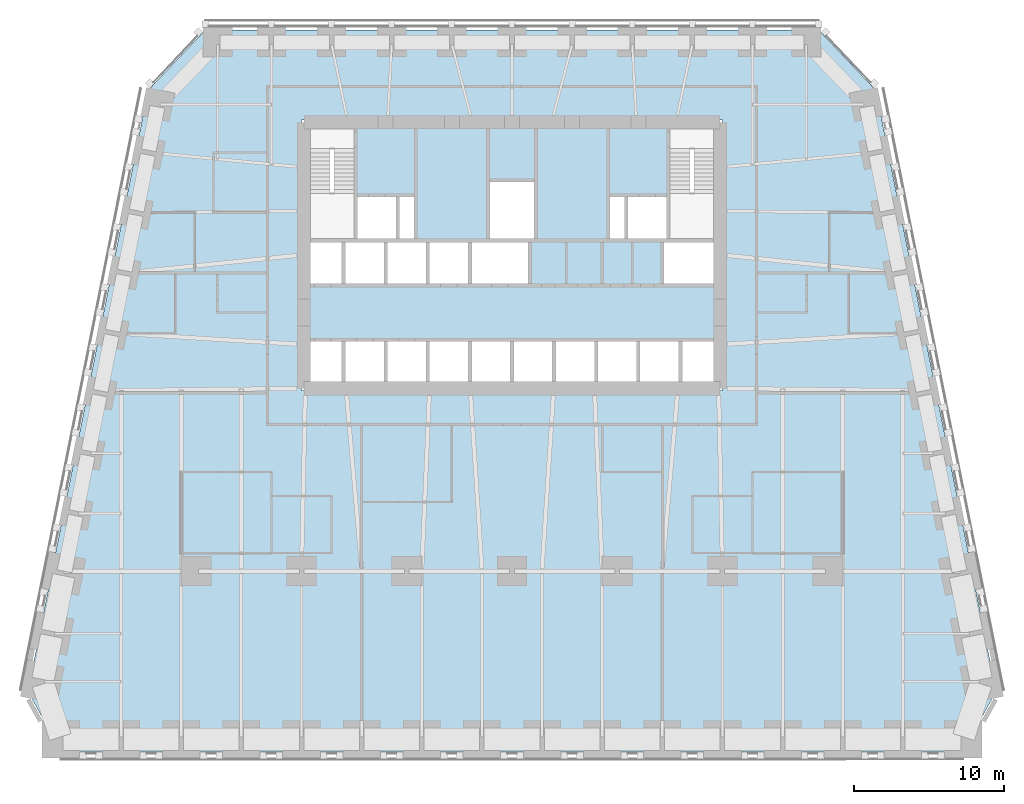
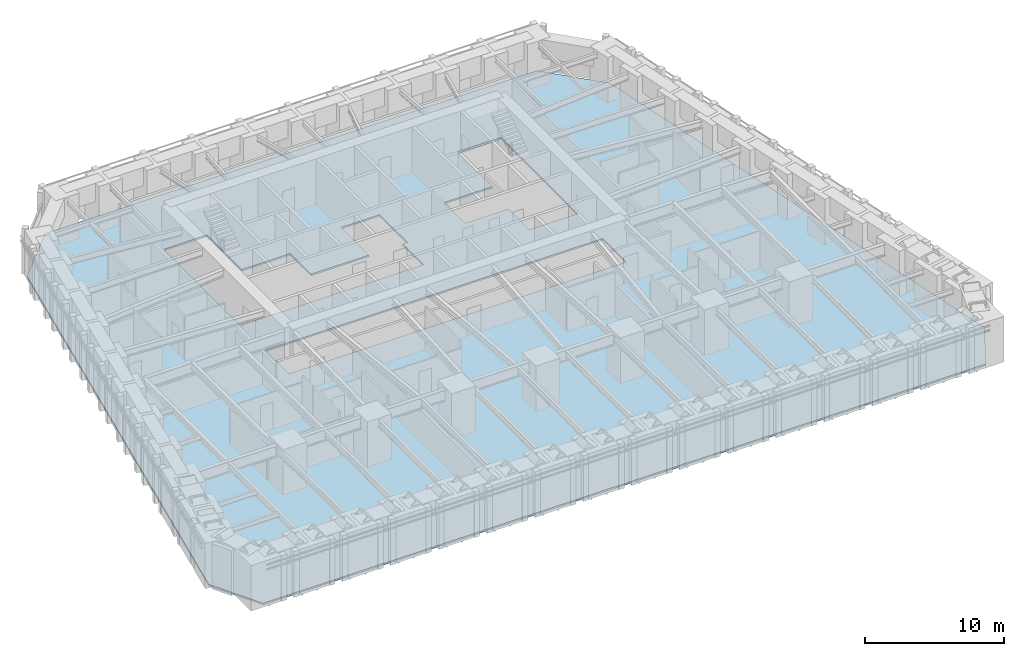
# One storey, part 8 of 16: 1 slab.
"""IFC4 building model written with IfcOpenShell, lengths in metres."""

import ifcopenshell
import ifcopenshell.guid

model = None  # the IFC model being written
_history = None  # IfcOwnerHistory: only IFC2X3 demands one
_inside = {}  # id of a spatial element -> (the spatial element, [elements in it])
_under = {}  # id of a project, library or spatial element -> (it, [spatial elements below it])
_declared = {}  # id of a project -> (the project, [libraries it declares])
_typed = {}  # id of a type object -> (the type object, [elements of that type])
_made_of = {}  # id of a material, layer set ... -> (it, [elements and type objects made of it])


def new_model(schema):
    """Start an empty IFC model of exactly this schema.

    Asked for "IFC4X3", IfcOpenShell would pick the latest addendum, in which some entities
    have other attributes; the version numbers below select the first issue.
    IFC2X3 requires an IfcOwnerHistory on every rooted entity: one is made here for all.
    """
    global model, _history
    if schema == "IFC4X3":
        model = ifcopenshell.file(schema_version=(4, 3, 0, 0))
    else:
        model = ifcopenshell.file(schema=schema)
    _inside.clear()
    _under.clear()
    _declared.clear()
    _typed.clear()
    _made_of.clear()
    _history = None
    if model.schema == "IFC2X3":
        org = make("IfcOrganization", Name="unknown")
        user = make(
            "IfcPersonAndOrganization",
            ThePerson=make("IfcPerson", FamilyName="unknown"),
            TheOrganization=org,
        )
        app = make(
            "IfcApplication",
            ApplicationDeveloper=org,
            Version="unknown",
            ApplicationFullName="unknown",
            ApplicationIdentifier="unknown",
        )
        _history = make(
            "IfcOwnerHistory",
            OwningUser=user,
            OwningApplication=app,
            ChangeAction="ADDED",
            CreationDate=0,
        )
    return model


def make(cls, **values):
    """One entity of the class cls with the attributes given. An attribute that is None is left unset."""
    return model.create_entity(
        cls, **{name: value for name, value in values.items() if value is not None}
    )


def rooted(cls, **values):
    """An entity with a GlobalId (a new one), such as an element, a storey or a relation."""
    return make(cls, GlobalId=ifcopenshell.guid.new(), OwnerHistory=_history, **values)


def si_unit(unit_type, name, prefix=None):
    """IfcSIUnit, for example si_unit("LENGTHUNIT", "METRE", prefix="MILLI")."""
    return make("IfcSIUnit", UnitType=unit_type, Prefix=prefix, Name=name)


def assignment(units):
    """IfcUnitAssignment: the units of a project."""
    return None if units is None else make("IfcUnitAssignment", Units=units)


def point(xyz):
    """IfcCartesianPoint."""
    return None if xyz is None else make("IfcCartesianPoint", Coordinates=xyz)


def direction(xyz):
    """IfcDirection."""
    return None if xyz is None else make("IfcDirection", DirectionRatios=xyz)


def frame(location, z_axis=None, x_axis=None):
    """IfcAxis2Placement3D, a coordinate frame: its origin and axes. An axis left out is left unset."""
    return make(
        "IfcAxis2Placement3D",
        Location=point(location),
        Axis=direction(z_axis),
        RefDirection=direction(x_axis),
    )


def origin():
    """The frame at (0, 0, 0) with its axes left unset."""
    return frame((0.0, 0.0, 0.0))


def place(relative_to, where):
    """IfcLocalPlacement: puts the frame where relative to a parent placement (None: the world)."""
    return make(
        "IfcLocalPlacement", PlacementRelTo=relative_to, RelativePlacement=where
    )


def context(
    kind, dimensions, precision=None, world=None, true_north=None, identifier=None
):
    """IfcGeometricRepresentationContext, for example the 3D "Model" context."""
    return make(
        "IfcGeometricRepresentationContext",
        ContextIdentifier=identifier,
        ContextType=kind,
        CoordinateSpaceDimension=dimensions,
        Precision=precision,
        WorldCoordinateSystem=world,
        TrueNorth=true_north,
    )


def subcontext(parent, identifier, kind, view, scale=None):
    """IfcGeometricRepresentationSubContext, for example "Body" below "Model"."""
    return make(
        "IfcGeometricRepresentationSubContext",
        ContextIdentifier=identifier,
        ContextType=kind,
        ParentContext=parent,
        TargetScale=scale,
        TargetView=view,
    )


def project(units=None, contexts=None):
    """IfcProject with its units and contexts."""
    return rooted(
        "IfcProject",
        Name="project",
        RepresentationContexts=contexts,
        UnitsInContext=assignment(units),
    )


def spatial(cls, under=None, at=None, **own):
    """A site, building, storey or space (cls), placed at a placement, below another one or the project."""
    s = rooted(cls, ObjectPlacement=at, **own)
    if under is not None:
        _under.setdefault(under.id(), (under, []))[1].append(s)
    return s


def polyline(points):
    """IfcPolyline through the points."""
    return make("IfcPolyline", Points=[point(p) for p in points])


def outline(outer, holes=None, kind="AREA"):
    """IfcArbitraryClosedProfileDef: a profile drawn as a closed curve; with holes, ...WithVoids."""
    if holes is None:
        return make("IfcArbitraryClosedProfileDef", ProfileType=kind, OuterCurve=outer)
    return make(
        "IfcArbitraryProfileDefWithVoids",
        ProfileType=kind,
        OuterCurve=outer,
        InnerCurves=holes,
    )


def extrude(swept, where, along, depth):
    """IfcExtrudedAreaSolid: the profile swept, set in the frame where, extruded along a direction by depth."""
    return make(
        "IfcExtrudedAreaSolid",
        SweptArea=swept,
        Position=where,
        ExtrudedDirection=direction(along),
        Depth=depth,
    )


def shape(context_of_items, identifier, shape_type, items):
    """IfcShapeRepresentation: the items that make up one representation, for example the "Body"."""
    return make(
        "IfcShapeRepresentation",
        ContextOfItems=context_of_items,
        RepresentationIdentifier=identifier,
        RepresentationType=shape_type,
        Items=items,
    )


def material(Name=None, Category=None):
    """IfcMaterial."""
    return make("IfcMaterial", Name=Name, Category=Category)


def layer(
    of_material, thickness, ventilated=None, Name=None, Category=None, Priority=None
):
    """IfcMaterialLayer: one layer of a wall or slab, of a material (None: an air gap)."""
    return make(
        "IfcMaterialLayer",
        Material=of_material,
        LayerThickness=thickness,
        IsVentilated=ventilated,
        Name=Name,
        Category=Category,
        Priority=Priority,
    )


def layer_set(layers, Name=None):
    """IfcMaterialLayerSet."""
    return make("IfcMaterialLayerSet", MaterialLayers=layers, LayerSetName=Name)


def made_of(thing, what):
    """Note that an element or type object is made of a material, layer set ...; save() writes the relation."""
    if what is not None:
        _made_of.setdefault(what.id(), (what, []))[1].append(thing)
    return thing


def type_object(cls, material=None, **own):
    """A type object (cls), such as IfcWallType, which elements share."""
    return made_of(rooted(cls, **own), material)


def element(
    cls,
    number,
    at=None,
    inside=None,
    cuts=None,
    type_object=None,
    material=None,
    context=None,
    identifier="Body",
    shape_type=None,
    held_by="IfcProductDefinitionShape",
    body=None,
    shapes=None,
    **own,
):
    """One element of the class cls, such as IfcWall. Its Tag is "e" and its number.

    at: its placement. inside: the storey or other place that contains it. cuts: it is an
    opening in that element (IfcRelVoidsElement). A single representation is given by context,
    identifier, shape_type and body (its items); several are given by shapes. held_by: the class
    of the entity that holds the representations. save() writes the other relations.
    """
    e = rooted(cls, Tag="e%d" % number, ObjectPlacement=at, **own)
    if body is not None:
        shapes = [shape(context, identifier, shape_type, body)]
    if shapes is not None:
        e.Representation = make(held_by, Representations=shapes)
    if inside is not None:
        _inside.setdefault(inside.id(), (inside, []))[1].append(e)
    if cuts is not None:
        rooted(
            "IfcRelVoidsElement", RelatingBuildingElement=cuts, RelatedOpeningElement=e
        )
    if type_object is not None:
        _typed.setdefault(type_object.id(), (type_object, []))[1].append(e)
    return made_of(e, material)


def aggregate(whole, parts):
    """IfcRelAggregates: a whole, such as a stair, and the parts it consists of."""
    return rooted("IfcRelAggregates", RelatingObject=whole, RelatedObjects=parts)


def save(model, path):
    """Write the relations noted so far, then the file.

    IfcRelAggregates (storeys below a building ...), IfcRelContainedInSpatialStructure (elements
    in a storey), IfcRelDefinesByType, IfcRelAssociatesMaterial and IfcRelDeclares: one each for
    every whole, place, type object, material and project.
    """
    for whole, parts in _under.values():
        aggregate(whole, parts)
    for where, things in _inside.values():
        rooted(
            "IfcRelContainedInSpatialStructure",
            RelatedElements=things,
            RelatingStructure=where,
        )
    for kind, things in _typed.values():
        rooted("IfcRelDefinesByType", RelatedObjects=things, RelatingType=kind)
    for what, things in _made_of.values():
        rooted("IfcRelAssociatesMaterial", RelatedObjects=things, RelatingMaterial=what)
    for by, libraries in _declared.values():
        rooted("IfcRelDeclares", RelatingContext=by, RelatedDefinitions=libraries)
    model.write(path)


model = new_model("IFC4")

# Units and contexts
model_context = context("Model", 3, precision=1e-05, world=origin(), true_north=direction((0.0, 1.0)))
body_context = subcontext(model_context, "Body", "Model", "MODEL_VIEW")
ifc_project = project(units=[si_unit("LENGTHUNIT", "METRE"), si_unit("AREAUNIT", "SQUARE_METRE"), si_unit("VOLUMEUNIT", "CUBIC_METRE"), si_unit("PLANEANGLEUNIT", "RADIAN"), si_unit("MASSUNIT", "GRAM", prefix="KILO")], contexts=[model_context])

# Site, building, storey
site_placement = place(None, origin())
site = spatial("IfcSite", under=ifc_project, at=site_placement, CompositionType="ELEMENT")
building_placement = place(site_placement, origin())
building = spatial("IfcBuilding", under=site, at=building_placement, Name="Isbrekke Arena Tower", CompositionType="ELEMENT")
storey_placement = place(building_placement, frame((0.0, 0.0, 36.0)))
storey = spatial("IfcBuildingStorey", under=building, at=storey_placement, Name="L06", CompositionType="ELEMENT", Elevation=36.0)

# Slab
ifc_material = material(Name="Concrete B35 (C35/45)", Category="concrete")
ifc_layer = layer(ifc_material, 0.14990234375)
ifc_layer_set = layer_set([ifc_layer], Name="FS1 COMPOSITE FLOOR 150")
slab_type = type_object("IfcSlabType", Name="FS1 COMPOSITE FLOOR 150", PredefinedType="FLOOR", material=ifc_layer_set)
slab_placement = place(storey_placement, frame((0.0, 0.0, -0.14990234375)))
element("IfcSlab", 1, at=slab_placement, inside=storey, type_object=slab_type, Name="FS1 floor slab L06", PredefinedType="FLOOR", context=body_context, shape_type="SweptSolid", body=[
    extrude(outline(polyline([(-30.0, -18.0), (30.0, -18.0), (32.199951171875, -14.0), (24.199951171875, 26.0), (20.39990234375, 30.0), (-20.39990234375, 30.0), (-24.199951171875, 26.0), (-32.199951171875, -14.0), (-30.0, -18.0)]), holes=[polyline([(14.0, 9.39990234375), (14.0, 6.0), (-14.0, 6.0), (-14.0, 9.39990234375), (14.0, 9.39990234375)]), polyline([(-6.39990234375, 19.0), (-6.39990234375, 16.0), (-1.60009765625, 16.0), (-1.60009765625, 20.0), (1.60009765625, 20.0), (1.60009765625, 16.0), (1.199951171875, 16.0), (1.199951171875, 13.0), (-14.0, 13.0), (-14.0, 24.0), (-10.39990234375, 24.0), (-10.39990234375, 19.0), (-6.39990234375, 19.0)]), polyline([(10.0, 13.0), (10.0, 16.0), (6.39990234375, 16.0), (6.39990234375, 19.0), (10.39990234375, 19.0), (10.39990234375, 24.0), (14.0, 24.0), (14.0, 13.0), (10.0, 13.0)])]), origin(), (0.0, 0.0, 1.0), 0.14990234375),
])

save(model, "model.ifc")
